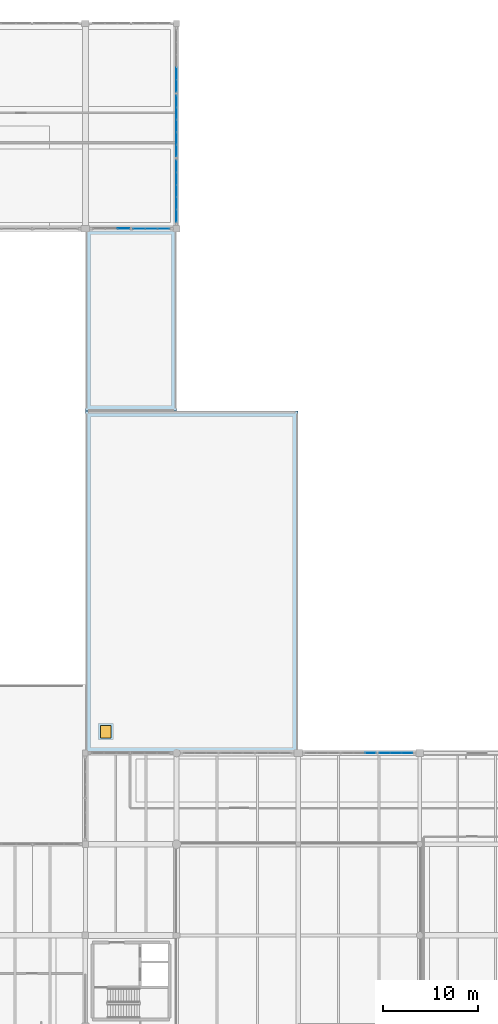
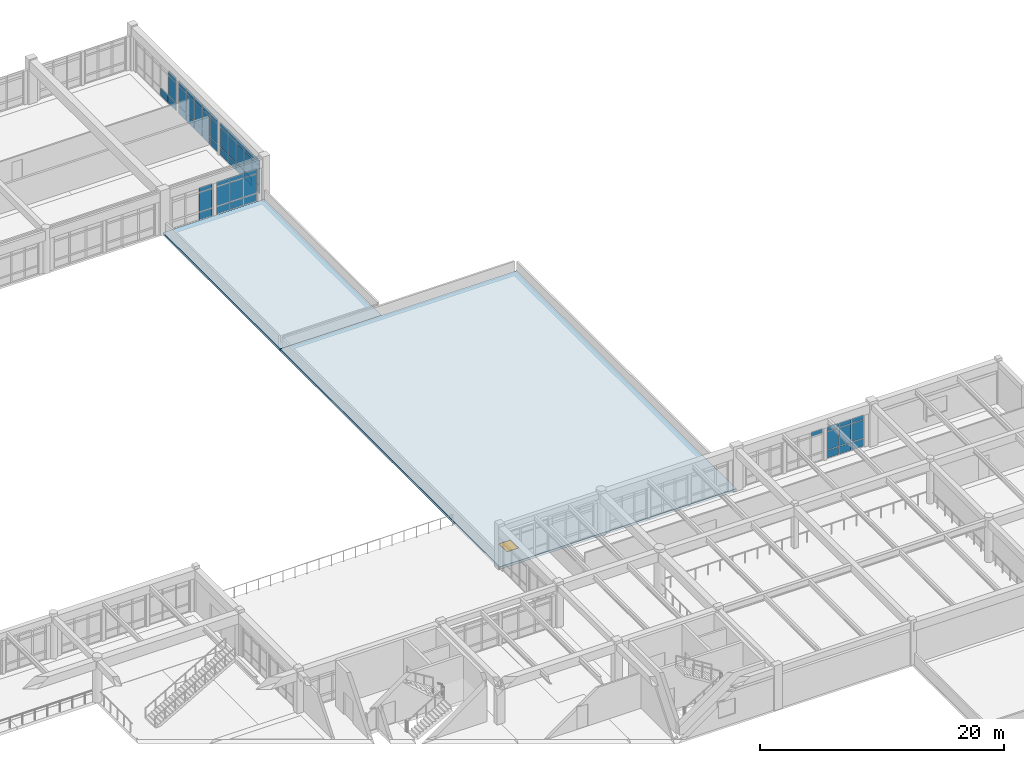
# One storey, part 81 of 109: 56 plates, 2 slabs, 1 window, 1 opening, 7 elements without a shape of their own.
"""IFC4 building model written with IfcOpenShell, lengths in metres."""

from ifc_helpers import new_model, si_unit, direction, frame, origin, origin_2d, place, context, subcontext, project, spatial, polyline, rectangle, outline, extrude, material, layer, layer_set, type_object, element, fill, aggregate, save


model = new_model("IFC4")

# Units and contexts
model_context = context("Model", 3, precision=1e-05, world=origin(), true_north=direction((0.0, 1.0)))
body_context = subcontext(model_context, "Body", "Model", "MODEL_VIEW")
ifc_project = project(units=[si_unit("LENGTHUNIT", "METRE"), si_unit("AREAUNIT", "SQUARE_METRE"), si_unit("VOLUMEUNIT", "CUBIC_METRE"), si_unit("PLANEANGLEUNIT", "RADIAN"), si_unit("MASSUNIT", "GRAM", prefix="KILO")], contexts=[model_context])

# Site, building, storey
site_placement = place(None, origin())
site = spatial("IfcSite", under=ifc_project, at=site_placement, CompositionType="ELEMENT")
building_placement = place(site_placement, origin())
building = spatial("IfcBuilding", under=site, at=building_placement, Name="Fikremerkos Civic Library", CompositionType="ELEMENT")
storey_placement = place(building_placement, frame((0.0, 0.0, 5.39990234375)))
storey = spatial("IfcBuildingStorey", under=building, at=storey_placement, Name="L01", CompositionType="ELEMENT", Elevation=5.39990234375)

# Curtain wall, plates
ifc_material_1 = material(Name="Anodized aluminium Frame", Category="aluminium")
ifc_layer_1 = layer(ifc_material_1, 0.159912109375, Name="Anodized aluminium Frame")
ifc_layer_set_1 = layer_set([ifc_layer_1], Name="Anodized aluminium Frame")
curtain_wall_type_1 = type_object("IfcCurtainWallType", Name="Unitised curtain wall CW-05 3800x4100", PredefinedType="USERDEFINED", material=ifc_layer_set_1)
curtain_wall_1_placement = place(storey_placement, origin())
curtain_wall_1 = element("IfcCurtainWall", 1, at=curtain_wall_1_placement, inside=storey, type_object=curtain_wall_type_1, Name="Unitised curtain wall CW-05 L01 #113", ObjectType="UNITISED CURTAIN WALL", PredefinedType="USERDEFINED")
ifc_material_2 = material(Name="Solar control double glazing", Category="glass")
ifc_layer_2 = layer(ifc_material_2, 0.028076171875, Name="Solar control double glazing")
ifc_layer_set_2 = layer_set([ifc_layer_2], Name="Solar control double glazing")
plate_type_1 = type_object("IfcPlateType", Name="Curtain glazing panel CWP-01 28", PredefinedType="CURTAIN_PANEL", material=ifc_layer_set_2)
plate_1_placement = place(storey_placement, frame((134.39990234375, 109.413330078125, 0.06005859375), z_axis=(0.0, 0.0, 1.0), x_axis=(0.0, -1.0, 0.0)))
plate_1 = element("IfcPlate", 2, at=plate_1_placement, type_object=plate_type_1, Name="CW-05 panel 1.1", PredefinedType="CURTAIN_PANEL", context=body_context, shape_type="SweptSolid", body=[
    extrude(rectangle(XDim=1.211181640625, YDim=0.028076171875, at=origin_2d()), origin(), (0.0, 0.0, 1.0), 0.760009765625),
])
plate_2_placement = place(storey_placement, frame((134.39990234375, 109.413330078125, 0.880126953125), z_axis=(0.0, 0.0, 1.0), x_axis=(0.0, -1.0, 0.0)))
plate_2 = element("IfcPlate", 3, at=plate_2_placement, type_object=plate_type_1, Name="CW-05 panel 1.2", PredefinedType="CURTAIN_PANEL", context=body_context, shape_type="SweptSolid", body=[
    extrude(rectangle(XDim=1.211181640625, YDim=0.028076171875, at=origin_2d()), origin(), (0.0, 0.0, 1.0), 1.9599609375),
])
plate_3_placement = place(storey_placement, frame((134.39990234375, 109.413330078125, 2.900146484375), z_axis=(0.0, 0.0, 1.0), x_axis=(0.0, -1.0, 0.0)))
plate_3 = element("IfcPlate", 4, at=plate_3_placement, type_object=plate_type_1, Name="CW-05 panel 1.3", PredefinedType="CURTAIN_PANEL", context=body_context, shape_type="SweptSolid", body=[
    extrude(rectangle(XDim=1.211181640625, YDim=0.028076171875, at=origin_2d()), origin(), (0.0, 0.0, 1.0), 0.4599609375),
])
plate_4_placement = place(storey_placement, frame((134.39990234375, 108.12109375, 0.06005859375), z_axis=(0.0, 0.0, 1.0), x_axis=(0.0, -1.0, 0.0)))
plate_4 = element("IfcPlate", 5, at=plate_4_placement, type_object=plate_type_1, Name="CW-05 panel 2.1", PredefinedType="CURTAIN_PANEL", context=body_context, shape_type="SweptSolid", body=[
    extrude(rectangle(XDim=1.24365234375, YDim=0.028076171875, at=origin_2d()), origin(), (0.0, 0.0, 1.0), 0.760009765625),
])
plate_5_placement = place(storey_placement, frame((134.39990234375, 108.12109375, 0.880126953125), z_axis=(0.0, 0.0, 1.0), x_axis=(0.0, -1.0, 0.0)))
plate_5 = element("IfcPlate", 6, at=plate_5_placement, type_object=plate_type_1, Name="CW-05 panel 2.2", PredefinedType="CURTAIN_PANEL", context=body_context, shape_type="SweptSolid", body=[
    extrude(rectangle(XDim=1.24365234375, YDim=0.028076171875, at=origin_2d()), origin(), (0.0, 0.0, 1.0), 1.9599609375),
])
plate_6_placement = place(storey_placement, frame((134.39990234375, 108.12109375, 2.900146484375), z_axis=(0.0, 0.0, 1.0), x_axis=(0.0, -1.0, 0.0)))
plate_6 = element("IfcPlate", 7, at=plate_6_placement, type_object=plate_type_1, Name="CW-05 panel 2.3", PredefinedType="CURTAIN_PANEL", context=body_context, shape_type="SweptSolid", body=[
    extrude(rectangle(XDim=1.24365234375, YDim=0.028076171875, at=origin_2d()), origin(), (0.0, 0.0, 1.0), 0.4599609375),
])
plate_7_placement = place(storey_placement, frame((134.39990234375, 106.8125, 0.06005859375), z_axis=(0.0, 0.0, 1.0), x_axis=(0.0, -1.0, 0.0)))
plate_7 = element("IfcPlate", 8, at=plate_7_placement, type_object=plate_type_1, Name="CW-05 panel 3.1", PredefinedType="CURTAIN_PANEL", context=body_context, shape_type="SweptSolid", body=[
    extrude(rectangle(XDim=1.24365234375, YDim=0.028076171875, at=origin_2d()), origin(), (0.0, 0.0, 1.0), 0.760009765625),
])
plate_8_placement = place(storey_placement, frame((134.39990234375, 106.8125, 0.880126953125), z_axis=(0.0, 0.0, 1.0), x_axis=(0.0, -1.0, 0.0)))
plate_8 = element("IfcPlate", 9, at=plate_8_placement, type_object=plate_type_1, Name="CW-05 panel 3.2", PredefinedType="CURTAIN_PANEL", context=body_context, shape_type="SweptSolid", body=[
    extrude(rectangle(XDim=1.24365234375, YDim=0.028076171875, at=origin_2d()), origin(), (0.0, 0.0, 1.0), 1.9599609375),
])
plate_9_placement = place(storey_placement, frame((134.39990234375, 106.8125, 2.900146484375), z_axis=(0.0, 0.0, 1.0), x_axis=(0.0, -1.0, 0.0)))
plate_9 = element("IfcPlate", 10, at=plate_9_placement, type_object=plate_type_1, Name="CW-05 panel 3.3", PredefinedType="CURTAIN_PANEL", context=body_context, shape_type="SweptSolid", body=[
    extrude(rectangle(XDim=1.24365234375, YDim=0.028076171875, at=origin_2d()), origin(), (0.0, 0.0, 1.0), 0.4599609375),
])
plate_10_placement = place(storey_placement, frame((134.39990234375, 105.50390625, 0.06005859375), z_axis=(0.0, 0.0, 1.0), x_axis=(0.0, -1.0, 0.0)))
plate_10 = element("IfcPlate", 11, at=plate_10_placement, type_object=plate_type_1, Name="CW-05 panel 4.1", PredefinedType="CURTAIN_PANEL", context=body_context, shape_type="SweptSolid", body=[
    extrude(rectangle(XDim=1.24365234375, YDim=0.028076171875, at=origin_2d()), origin(), (0.0, 0.0, 1.0), 0.760009765625),
])
plate_11_placement = place(storey_placement, frame((134.39990234375, 105.50390625, 0.880126953125), z_axis=(0.0, 0.0, 1.0), x_axis=(0.0, -1.0, 0.0)))
plate_11 = element("IfcPlate", 12, at=plate_11_placement, type_object=plate_type_1, Name="CW-05 panel 4.2", PredefinedType="CURTAIN_PANEL", context=body_context, shape_type="SweptSolid", body=[
    extrude(rectangle(XDim=1.24365234375, YDim=0.028076171875, at=origin_2d()), origin(), (0.0, 0.0, 1.0), 1.9599609375),
])
plate_12_placement = place(storey_placement, frame((134.39990234375, 105.50390625, 2.900146484375), z_axis=(0.0, 0.0, 1.0), x_axis=(0.0, -1.0, 0.0)))
plate_12 = element("IfcPlate", 13, at=plate_12_placement, type_object=plate_type_1, Name="CW-05 panel 4.3", PredefinedType="CURTAIN_PANEL", context=body_context, shape_type="SweptSolid", body=[
    extrude(rectangle(XDim=1.24365234375, YDim=0.028076171875, at=origin_2d()), origin(), (0.0, 0.0, 1.0), 0.4599609375),
])
plate_13_placement = place(storey_placement, frame((134.39990234375, 104.211669921875, 0.06005859375), z_axis=(0.0, 0.0, 1.0), x_axis=(0.0, -1.0, 0.0)))
plate_13 = element("IfcPlate", 14, at=plate_13_placement, type_object=plate_type_1, Name="CW-05 panel 5.1", PredefinedType="CURTAIN_PANEL", context=body_context, shape_type="SweptSolid", body=[
    extrude(rectangle(XDim=1.211181640625, YDim=0.028076171875, at=origin_2d()), origin(), (0.0, 0.0, 1.0), 0.760009765625),
])
plate_14_placement = place(storey_placement, frame((134.39990234375, 104.211669921875, 0.880126953125), z_axis=(0.0, 0.0, 1.0), x_axis=(0.0, -1.0, 0.0)))
plate_14 = element("IfcPlate", 15, at=plate_14_placement, type_object=plate_type_1, Name="CW-05 panel 5.2", PredefinedType="CURTAIN_PANEL", context=body_context, shape_type="SweptSolid", body=[
    extrude(rectangle(XDim=1.211181640625, YDim=0.028076171875, at=origin_2d()), origin(), (0.0, 0.0, 1.0), 1.9599609375),
])
plate_15_placement = place(storey_placement, frame((134.39990234375, 104.211669921875, 2.900146484375), z_axis=(0.0, 0.0, 1.0), x_axis=(0.0, -1.0, 0.0)))
plate_15 = element("IfcPlate", 16, at=plate_15_placement, type_object=plate_type_1, Name="CW-05 panel 5.3", PredefinedType="CURTAIN_PANEL", context=body_context, shape_type="SweptSolid", body=[
    extrude(rectangle(XDim=1.211181640625, YDim=0.028076171875, at=origin_2d()), origin(), (0.0, 0.0, 1.0), 0.4599609375),
])
aggregate(curtain_wall_1, [plate_1, plate_2, plate_3, plate_4, plate_5, plate_6, plate_7, plate_8, plate_9, plate_10, plate_11, plate_12, plate_13, plate_14, plate_15])

# Curtain wall, plate
ifc_layer_3 = layer(ifc_material_1, 0.159912109375, Name="Anodized aluminium Frame")
ifc_layer_set_3 = layer_set([ifc_layer_3], Name="Anodized aluminium Frame")
curtain_wall_type_2 = type_object("IfcCurtainWallType", Name="Unitised curtain wall CW-02 3900x3600", PredefinedType="USERDEFINED", material=ifc_layer_set_3)
curtain_wall_2_placement = place(storey_placement, origin())
curtain_wall_2 = element("IfcCurtainWall", 17, at=curtain_wall_2_placement, inside=storey, type_object=curtain_wall_type_2, Name="Unitised curtain wall CW-02 L01 #110", ObjectType="UNITISED CURTAIN WALL", PredefinedType="USERDEFINED")
ifc_layer_4 = layer(ifc_material_2, 0.035888671875, Name="Solar control double glazing")
ifc_layer_set_4 = layer_set([ifc_layer_4], Name="Solar control double glazing")
plate_type_2 = type_object("IfcPlateType", Name="Curtain glazing panel CWP-02 36", PredefinedType="CURTAIN_PANEL", material=ifc_layer_set_4)
plate_16_placement = place(storey_placement, frame((154.80908203125, 40.800048828125, 2.7451171875), z_axis=(0.0, 0.0, 1.0), x_axis=(1.0, 0.0, 0.0)))
plate_16 = element("IfcPlate", 18, at=plate_16_placement, type_object=plate_type_2, Name="CW-02 panel 3.3", PredefinedType="CURTAIN_PANEL", context=body_context, shape_type="SweptSolid", body=[
    extrude(rectangle(XDim=1.096435546875, YDim=0.035888671875, at=origin_2d()), origin(), (0.0, 0.0, 1.0), 0.445068359375),
])
aggregate(curtain_wall_2, [plate_16])

# Curtain wall, plates
ifc_layer_5 = layer(ifc_material_1, 0.159912109375, Name="Anodized aluminium Frame")
ifc_layer_set_5 = layer_set([ifc_layer_5], Name="Anodized aluminium Frame")
curtain_wall_type_3 = type_object("IfcCurtainWallType", Name="Unitised curtain wall CW-06 4200x4100", PredefinedType="USERDEFINED", material=ifc_layer_set_5)
curtain_wall_3_placement = place(storey_placement, origin())
curtain_wall_3 = element("IfcCurtainWall", 19, at=curtain_wall_3_placement, inside=storey, type_object=curtain_wall_type_3, Name="Unitised curtain wall CW-06 L01 #114", ObjectType="UNITISED CURTAIN WALL", PredefinedType="USERDEFINED")
plate_17_placement = place(storey_placement, frame((134.39990234375, 102.57177734375, 0.06005859375), z_axis=(0.0, 0.0, 1.0), x_axis=(0.0, -1.0, 0.0)))
plate_17 = element("IfcPlate", 20, at=plate_17_placement, type_object=plate_type_2, Name="CW-06 panel 1.1", PredefinedType="CURTAIN_PANEL", context=body_context, shape_type="SweptSolid", body=[
    extrude(rectangle(XDim=1.218505859375, YDim=0.035888671875, at=origin_2d()), origin(), (0.0, 0.0, 1.0), 0.760009765625),
])
plate_18_placement = place(storey_placement, frame((134.39990234375, 102.57177734375, 0.880126953125), z_axis=(0.0, 0.0, 1.0), x_axis=(0.0, -1.0, 0.0)))
plate_18 = element("IfcPlate", 21, at=plate_18_placement, type_object=plate_type_2, Name="CW-06 panel 1.2", PredefinedType="CURTAIN_PANEL", context=body_context, shape_type="SweptSolid", body=[
    extrude(rectangle(XDim=1.218505859375, YDim=0.035888671875, at=origin_2d()), origin(), (0.0, 0.0, 1.0), 1.9599609375),
])
plate_19_placement = place(storey_placement, frame((134.39990234375, 102.57177734375, 2.900146484375), z_axis=(0.0, 0.0, 1.0), x_axis=(0.0, -1.0, 0.0)))
plate_19 = element("IfcPlate", 22, at=plate_19_placement, type_object=plate_type_2, Name="CW-06 panel 1.3", PredefinedType="CURTAIN_PANEL", context=body_context, shape_type="SweptSolid", body=[
    extrude(rectangle(XDim=1.218505859375, YDim=0.035888671875, at=origin_2d()), origin(), (0.0, 0.0, 1.0), 0.4599609375),
])
plate_20_placement = place(storey_placement, frame((134.39990234375, 101.278076171875, 0.06005859375), z_axis=(0.0, 0.0, 1.0), x_axis=(0.0, -1.0, 0.0)))
plate_20 = element("IfcPlate", 23, at=plate_20_placement, type_object=plate_type_2, Name="CW-06 panel 2.1", PredefinedType="CURTAIN_PANEL", context=body_context, shape_type="SweptSolid", body=[
    extrude(rectangle(XDim=1.24853515625, YDim=0.035888671875, at=origin_2d()), origin(), (0.0, 0.0, 1.0), 0.760009765625),
])
plate_21_placement = place(storey_placement, frame((134.39990234375, 101.278076171875, 0.880126953125), z_axis=(0.0, 0.0, 1.0), x_axis=(0.0, -1.0, 0.0)))
plate_21 = element("IfcPlate", 24, at=plate_21_placement, type_object=plate_type_2, Name="CW-06 panel 2.2", PredefinedType="CURTAIN_PANEL", context=body_context, shape_type="SweptSolid", body=[
    extrude(rectangle(XDim=1.24853515625, YDim=0.035888671875, at=origin_2d()), origin(), (0.0, 0.0, 1.0), 1.9599609375),
])
plate_22_placement = place(storey_placement, frame((134.39990234375, 101.278076171875, 2.900146484375), z_axis=(0.0, 0.0, 1.0), x_axis=(0.0, -1.0, 0.0)))
plate_22 = element("IfcPlate", 25, at=plate_22_placement, type_object=plate_type_2, Name="CW-06 panel 2.3", PredefinedType="CURTAIN_PANEL", context=body_context, shape_type="SweptSolid", body=[
    extrude(rectangle(XDim=1.24853515625, YDim=0.035888671875, at=origin_2d()), origin(), (0.0, 0.0, 1.0), 0.4599609375),
])
plate_23_placement = place(storey_placement, frame((134.39990234375, 99.969482421875, 0.06005859375), z_axis=(0.0, 0.0, 1.0), x_axis=(0.0, -1.0, 0.0)))
plate_23 = element("IfcPlate", 26, at=plate_23_placement, type_object=plate_type_2, Name="CW-06 panel 3.1", PredefinedType="CURTAIN_PANEL", context=body_context, shape_type="SweptSolid", body=[
    extrude(rectangle(XDim=1.24853515625, YDim=0.035888671875, at=origin_2d()), origin(), (0.0, 0.0, 1.0), 0.760009765625),
])
plate_24_placement = place(storey_placement, frame((134.39990234375, 99.969482421875, 0.880126953125), z_axis=(0.0, 0.0, 1.0), x_axis=(0.0, -1.0, 0.0)))
plate_24 = element("IfcPlate", 27, at=plate_24_placement, type_object=plate_type_2, Name="CW-06 panel 3.2", PredefinedType="CURTAIN_PANEL", context=body_context, shape_type="SweptSolid", body=[
    extrude(rectangle(XDim=1.24853515625, YDim=0.035888671875, at=origin_2d()), origin(), (0.0, 0.0, 1.0), 1.9599609375),
])
plate_25_placement = place(storey_placement, frame((134.39990234375, 99.969482421875, 2.900146484375), z_axis=(0.0, 0.0, 1.0), x_axis=(0.0, -1.0, 0.0)))
plate_25 = element("IfcPlate", 28, at=plate_25_placement, type_object=plate_type_2, Name="CW-06 panel 3.3", PredefinedType="CURTAIN_PANEL", context=body_context, shape_type="SweptSolid", body=[
    extrude(rectangle(XDim=1.24853515625, YDim=0.035888671875, at=origin_2d()), origin(), (0.0, 0.0, 1.0), 0.4599609375),
])
plate_26_placement = place(storey_placement, frame((134.39990234375, 98.660888671875, 0.06005859375), z_axis=(0.0, 0.0, 1.0), x_axis=(0.0, -1.0, 0.0)))
plate_26 = element("IfcPlate", 29, at=plate_26_placement, type_object=plate_type_2, Name="CW-06 panel 4.1", PredefinedType="CURTAIN_PANEL", context=body_context, shape_type="SweptSolid", body=[
    extrude(rectangle(XDim=1.24853515625, YDim=0.035888671875, at=origin_2d()), origin(), (0.0, 0.0, 1.0), 0.760009765625),
])
plate_27_placement = place(storey_placement, frame((134.39990234375, 98.660888671875, 0.880126953125), z_axis=(0.0, 0.0, 1.0), x_axis=(0.0, -1.0, 0.0)))
plate_27 = element("IfcPlate", 30, at=plate_27_placement, type_object=plate_type_2, Name="CW-06 panel 4.2", PredefinedType="CURTAIN_PANEL", context=body_context, shape_type="SweptSolid", body=[
    extrude(rectangle(XDim=1.24853515625, YDim=0.035888671875, at=origin_2d()), origin(), (0.0, 0.0, 1.0), 1.9599609375),
])
plate_28_placement = place(storey_placement, frame((134.39990234375, 98.660888671875, 2.900146484375), z_axis=(0.0, 0.0, 1.0), x_axis=(0.0, -1.0, 0.0)))
plate_28 = element("IfcPlate", 31, at=plate_28_placement, type_object=plate_type_2, Name="CW-06 panel 4.3", PredefinedType="CURTAIN_PANEL", context=body_context, shape_type="SweptSolid", body=[
    extrude(rectangle(XDim=1.24853515625, YDim=0.035888671875, at=origin_2d()), origin(), (0.0, 0.0, 1.0), 0.4599609375),
])
plate_29_placement = place(storey_placement, frame((134.39990234375, 97.3671875, 0.06005859375), z_axis=(0.0, 0.0, 1.0), x_axis=(0.0, -1.0, 0.0)))
plate_29 = element("IfcPlate", 32, at=plate_29_placement, type_object=plate_type_2, Name="CW-06 panel 5.1", PredefinedType="CURTAIN_PANEL", context=body_context, shape_type="SweptSolid", body=[
    extrude(rectangle(XDim=1.218505859375, YDim=0.035888671875, at=origin_2d()), origin(), (0.0, 0.0, 1.0), 0.760009765625),
])
plate_30_placement = place(storey_placement, frame((134.39990234375, 97.3671875, 0.880126953125), z_axis=(0.0, 0.0, 1.0), x_axis=(0.0, -1.0, 0.0)))
plate_30 = element("IfcPlate", 33, at=plate_30_placement, type_object=plate_type_2, Name="CW-06 panel 5.2", PredefinedType="CURTAIN_PANEL", context=body_context, shape_type="SweptSolid", body=[
    extrude(rectangle(XDim=1.218505859375, YDim=0.035888671875, at=origin_2d()), origin(), (0.0, 0.0, 1.0), 1.9599609375),
])
plate_31_placement = place(storey_placement, frame((134.39990234375, 97.3671875, 2.900146484375), z_axis=(0.0, 0.0, 1.0), x_axis=(0.0, -1.0, 0.0)))
plate_31 = element("IfcPlate", 34, at=plate_31_placement, type_object=plate_type_2, Name="CW-06 panel 5.3", PredefinedType="CURTAIN_PANEL", context=body_context, shape_type="SweptSolid", body=[
    extrude(rectangle(XDim=1.218505859375, YDim=0.035888671875, at=origin_2d()), origin(), (0.0, 0.0, 1.0), 0.4599609375),
])
aggregate(curtain_wall_3, [plate_17, plate_18, plate_19, plate_20, plate_21, plate_22, plate_23, plate_24, plate_25, plate_26, plate_27, plate_28, plate_29, plate_30, plate_31])

ifc_layer_6 = layer(ifc_material_1, 0.159912109375, Name="Anodized aluminium Frame")
ifc_layer_set_6 = layer_set([ifc_layer_6], Name="Anodized aluminium Frame")
curtain_wall_type_4 = type_object("IfcCurtainWallType", Name="Unitised curtain wall CW-03 4100x3600", PredefinedType="USERDEFINED", material=ifc_layer_set_6)
curtain_wall_4_placement = place(storey_placement, origin())
curtain_wall_4 = element("IfcCurtainWall", 35, at=curtain_wall_4_placement, inside=storey, type_object=curtain_wall_type_4, Name="Unitised curtain wall CW-03 L01 #111", ObjectType="UNITISED CURTAIN WALL", PredefinedType="USERDEFINED")
ifc_material_3 = material(Name="Insulated aluminium spandrel", Category="aluminium")
ifc_layer_7 = layer(ifc_material_3, 0.044921875, Name="Insulated aluminium spandrel")
ifc_layer_set_7 = layer_set([ifc_layer_7], Name="Insulated aluminium spandrel")
plate_type_3 = type_object("IfcPlateType", Name="Curtain spandrel panel CSP-01 45", PredefinedType="CURTAIN_PANEL", material=ifc_layer_set_7)
plate_32_placement = place(storey_placement, frame((156.32568359375, 40.800048828125, 0.065185546875), z_axis=(0.0, 0.0, 1.0), x_axis=(1.0, 0.0, 0.0)))
plate_32 = element("IfcPlate", 36, at=plate_32_placement, type_object=plate_type_3, Name="CW-03 panel 1.1", PredefinedType="CURTAIN_PANEL", context=body_context, shape_type="SweptSolid", body=[
    extrude(rectangle(XDim=1.096435546875, YDim=0.044921875, at=origin_2d()), origin(), (0.0, 0.0, 1.0), 0.75244140625),
])
plate_33_placement = place(storey_placement, frame((156.32568359375, 40.800048828125, 0.882568359375), z_axis=(0.0, 0.0, 1.0), x_axis=(1.0, 0.0, 0.0)))
plate_33 = element("IfcPlate", 37, at=plate_33_placement, type_object=plate_type_3, Name="CW-03 panel 1.2", PredefinedType="CURTAIN_PANEL", context=body_context, shape_type="SweptSolid", body=[
    extrude(rectangle(XDim=1.096435546875, YDim=0.044921875, at=origin_2d()), origin(), (0.0, 0.0, 1.0), 1.794921875),
])
plate_34_placement = place(storey_placement, frame((156.32568359375, 40.800048828125, 2.74267578125), z_axis=(0.0, 0.0, 1.0), x_axis=(1.0, 0.0, 0.0)))
plate_34 = element("IfcPlate", 38, at=plate_34_placement, type_object=plate_type_3, Name="CW-03 panel 1.3", PredefinedType="CURTAIN_PANEL", context=body_context, shape_type="SweptSolid", body=[
    extrude(rectangle(XDim=1.096435546875, YDim=0.044921875, at=origin_2d()), origin(), (0.0, 0.0, 1.0), 0.452392578125),
])
plate_35_placement = place(storey_placement, frame((157.4970703125, 40.800048828125, 0.065185546875), z_axis=(0.0, 0.0, 1.0), x_axis=(1.0, 0.0, 0.0)))
plate_35 = element("IfcPlate", 39, at=plate_35_placement, type_object=plate_type_3, Name="CW-03 panel 2.1", PredefinedType="CURTAIN_PANEL", context=body_context, shape_type="SweptSolid", body=[
    extrude(rectangle(XDim=1.12646484375, YDim=0.044921875, at=origin_2d()), origin(), (0.0, 0.0, 1.0), 0.75244140625),
])
plate_36_placement = place(storey_placement, frame((157.4970703125, 40.800048828125, 0.882568359375), z_axis=(0.0, 0.0, 1.0), x_axis=(1.0, 0.0, 0.0)))
plate_36 = element("IfcPlate", 40, at=plate_36_placement, type_object=plate_type_3, Name="CW-03 panel 2.2", PredefinedType="CURTAIN_PANEL", context=body_context, shape_type="SweptSolid", body=[
    extrude(rectangle(XDim=1.12646484375, YDim=0.044921875, at=origin_2d()), origin(), (0.0, 0.0, 1.0), 1.794921875),
])
plate_37_placement = place(storey_placement, frame((157.4970703125, 40.800048828125, 2.74267578125), z_axis=(0.0, 0.0, 1.0), x_axis=(1.0, 0.0, 0.0)))
plate_37 = element("IfcPlate", 41, at=plate_37_placement, type_object=plate_type_3, Name="CW-03 panel 2.3", PredefinedType="CURTAIN_PANEL", context=body_context, shape_type="SweptSolid", body=[
    extrude(rectangle(XDim=1.12646484375, YDim=0.044921875, at=origin_2d()), origin(), (0.0, 0.0, 1.0), 0.452392578125),
])
plate_38_placement = place(storey_placement, frame((158.668701171875, 40.800048828125, 0.065185546875), z_axis=(0.0, 0.0, 1.0), x_axis=(1.0, 0.0, 0.0)))
plate_38 = element("IfcPlate", 42, at=plate_38_placement, type_object=plate_type_3, Name="CW-03 panel 3.1", PredefinedType="CURTAIN_PANEL", context=body_context, shape_type="SweptSolid", body=[
    extrude(rectangle(XDim=1.096435546875, YDim=0.044921875, at=origin_2d()), origin(), (0.0, 0.0, 1.0), 0.75244140625),
])
plate_39_placement = place(storey_placement, frame((158.668701171875, 40.800048828125, 0.882568359375), z_axis=(0.0, 0.0, 1.0), x_axis=(1.0, 0.0, 0.0)))
plate_39 = element("IfcPlate", 43, at=plate_39_placement, type_object=plate_type_3, Name="CW-03 panel 3.2", PredefinedType="CURTAIN_PANEL", context=body_context, shape_type="SweptSolid", body=[
    extrude(rectangle(XDim=1.096435546875, YDim=0.044921875, at=origin_2d()), origin(), (0.0, 0.0, 1.0), 1.794921875),
])
plate_40_placement = place(storey_placement, frame((158.668701171875, 40.800048828125, 2.74267578125), z_axis=(0.0, 0.0, 1.0), x_axis=(1.0, 0.0, 0.0)))
plate_40 = element("IfcPlate", 44, at=plate_40_placement, type_object=plate_type_3, Name="CW-03 panel 3.3", PredefinedType="CURTAIN_PANEL", context=body_context, shape_type="SweptSolid", body=[
    extrude(rectangle(XDim=1.096435546875, YDim=0.044921875, at=origin_2d()), origin(), (0.0, 0.0, 1.0), 0.452392578125),
])
aggregate(curtain_wall_4, [plate_32, plate_33, plate_34, plate_35, plate_36, plate_37, plate_38, plate_39, plate_40])

ifc_layer_8 = layer(ifc_material_1, 0.159912109375, Name="Anodized aluminium Frame")
ifc_layer_set_8 = layer_set([ifc_layer_8], Name="Anodized aluminium Frame")
curtain_wall_type_5 = type_object("IfcCurtainWallType", Name="Unitised curtain wall CW-07 3500x4100", PredefinedType="USERDEFINED", material=ifc_layer_set_8)
curtain_wall_5_placement = place(storey_placement, origin())
curtain_wall_5 = element("IfcCurtainWall", 45, at=curtain_wall_5_placement, inside=storey, type_object=curtain_wall_type_5, Name="Unitised curtain wall CW-07 L01 #115", ObjectType="UNITISED CURTAIN WALL", PredefinedType="USERDEFINED")
plate_41_placement = place(storey_placement, frame((133.03662109375, 96.0, 0.070068359375), z_axis=(0.0, 0.0, 1.0), x_axis=(-1.0, 0.0, 0.0)))
plate_41 = element("IfcPlate", 46, at=plate_41_placement, type_object=plate_type_3, Name="CW-07 panel 1.1", PredefinedType="CURTAIN_PANEL", context=body_context, shape_type="SweptSolid", body=[
    extrude(rectangle(XDim=1.210693359375, YDim=0.044921875, at=origin_2d()), origin(), (0.0, 0.0, 1.0), 0.7451171875),
])
plate_42_placement = place(storey_placement, frame((133.03662109375, 96.0, 0.88525390625), z_axis=(0.0, 0.0, 1.0), x_axis=(-1.0, 0.0, 0.0)))
plate_42 = element("IfcPlate", 47, at=plate_42_placement, type_object=plate_type_3, Name="CW-07 panel 1.2", PredefinedType="CURTAIN_PANEL", context=body_context, shape_type="SweptSolid", body=[
    extrude(rectangle(XDim=1.210693359375, YDim=0.044921875, at=origin_2d()), origin(), (0.0, 0.0, 1.0), 1.897216796875),
])
plate_43_placement = place(storey_placement, frame((133.03662109375, 96.0, 2.85205078125), z_axis=(0.0, 0.0, 1.0), x_axis=(-1.0, 0.0, 0.0)))
plate_43 = element("IfcPlate", 48, at=plate_43_placement, type_object=plate_type_3, Name="CW-07 panel 1.3", PredefinedType="CURTAIN_PANEL", context=body_context, shape_type="SweptSolid", body=[
    extrude(rectangle(XDim=1.210693359375, YDim=0.044921875, at=origin_2d()), origin(), (0.0, 0.0, 1.0), 0.445068359375),
])
plate_44_placement = place(storey_placement, frame((131.7509765625, 96.0, 0.070068359375), z_axis=(0.0, 0.0, 1.0), x_axis=(-1.0, 0.0, 0.0)))
plate_44 = element("IfcPlate", 49, at=plate_44_placement, type_object=plate_type_3, Name="CW-07 panel 2.1", PredefinedType="CURTAIN_PANEL", context=body_context, shape_type="SweptSolid", body=[
    extrude(rectangle(XDim=1.24072265625, YDim=0.044921875, at=origin_2d()), origin(), (0.0, 0.0, 1.0), 0.7451171875),
])
plate_45_placement = place(storey_placement, frame((131.7509765625, 96.0, 0.88525390625), z_axis=(0.0, 0.0, 1.0), x_axis=(-1.0, 0.0, 0.0)))
plate_45 = element("IfcPlate", 50, at=plate_45_placement, type_object=plate_type_3, Name="CW-07 panel 2.2", PredefinedType="CURTAIN_PANEL", context=body_context, shape_type="SweptSolid", body=[
    extrude(rectangle(XDim=1.24072265625, YDim=0.044921875, at=origin_2d()), origin(), (0.0, 0.0, 1.0), 1.897216796875),
])
plate_46_placement = place(storey_placement, frame((131.7509765625, 96.0, 2.85205078125), z_axis=(0.0, 0.0, 1.0), x_axis=(-1.0, 0.0, 0.0)))
plate_46 = element("IfcPlate", 51, at=plate_46_placement, type_object=plate_type_3, Name="CW-07 panel 2.3", PredefinedType="CURTAIN_PANEL", context=body_context, shape_type="SweptSolid", body=[
    extrude(rectangle(XDim=1.24072265625, YDim=0.044921875, at=origin_2d()), origin(), (0.0, 0.0, 1.0), 0.445068359375),
])
plate_47_placement = place(storey_placement, frame((130.46533203125, 96.0, 0.070068359375), z_axis=(0.0, 0.0, 1.0), x_axis=(-1.0, 0.0, 0.0)))
plate_47 = element("IfcPlate", 52, at=plate_47_placement, type_object=plate_type_3, Name="CW-07 panel 3.1", PredefinedType="CURTAIN_PANEL", context=body_context, shape_type="SweptSolid", body=[
    extrude(rectangle(XDim=1.210693359375, YDim=0.044921875, at=origin_2d()), origin(), (0.0, 0.0, 1.0), 0.7451171875),
])
plate_48_placement = place(storey_placement, frame((130.46533203125, 96.0, 0.88525390625), z_axis=(0.0, 0.0, 1.0), x_axis=(-1.0, 0.0, 0.0)))
plate_48 = element("IfcPlate", 53, at=plate_48_placement, type_object=plate_type_3, Name="CW-07 panel 3.2", PredefinedType="CURTAIN_PANEL", context=body_context, shape_type="SweptSolid", body=[
    extrude(rectangle(XDim=1.210693359375, YDim=0.044921875, at=origin_2d()), origin(), (0.0, 0.0, 1.0), 1.897216796875),
])
plate_49_placement = place(storey_placement, frame((130.46533203125, 96.0, 2.85205078125), z_axis=(0.0, 0.0, 1.0), x_axis=(-1.0, 0.0, 0.0)))
plate_49 = element("IfcPlate", 54, at=plate_49_placement, type_object=plate_type_3, Name="CW-07 panel 3.3", PredefinedType="CURTAIN_PANEL", context=body_context, shape_type="SweptSolid", body=[
    extrude(rectangle(XDim=1.210693359375, YDim=0.044921875, at=origin_2d()), origin(), (0.0, 0.0, 1.0), 0.445068359375),
])
aggregate(curtain_wall_5, [plate_41, plate_42, plate_43, plate_44, plate_45, plate_46, plate_47, plate_48, plate_49])

ifc_layer_9 = layer(ifc_material_1, 0.159912109375, Name="Anodized aluminium Frame")
ifc_layer_set_9 = layer_set([ifc_layer_9], Name="Anodized aluminium Frame")
curtain_wall_type_6 = type_object("IfcCurtainWallType", Name="Unitised curtain wall CW-04 3400x3600", PredefinedType="USERDEFINED", material=ifc_layer_set_9)
curtain_wall_6_placement = place(storey_placement, origin())
curtain_wall_6 = element("IfcCurtainWall", 55, at=curtain_wall_6_placement, inside=storey, type_object=curtain_wall_type_6, Name="Unitised curtain wall CW-04 L01 #112", ObjectType="UNITISED CURTAIN WALL", PredefinedType="USERDEFINED")
ifc_layer_10 = layer(ifc_material_3, 0.054931640625, Name="Insulated aluminium spandrel")
ifc_layer_set_10 = layer_set([ifc_layer_10], Name="Insulated aluminium spandrel")
plate_type_4 = type_object("IfcPlateType", Name="Curtain spandrel panel CSP-02 55", PredefinedType="CURTAIN_PANEL", material=ifc_layer_set_10)
plate_50_placement = place(storey_placement, frame((134.39990234375, 112.346923828125, 0.065185546875), z_axis=(0.0, 0.0, 1.0), x_axis=(0.0, -1.0, 0.0)))
plate_50 = element("IfcPlate", 56, at=plate_50_placement, type_object=plate_type_4, Name="CW-04 panel 4.1", PredefinedType="CURTAIN_PANEL", context=body_context, shape_type="SweptSolid", body=[
    extrude(rectangle(XDim=1.24853515625, YDim=0.054931640625, at=origin_2d()), origin(), (0.0, 0.0, 1.0), 0.75244140625),
])
plate_51_placement = place(storey_placement, frame((134.39990234375, 111.05322265625, 0.065185546875), z_axis=(0.0, 0.0, 1.0), x_axis=(0.0, -1.0, 0.0)))
plate_51 = element("IfcPlate", 57, at=plate_51_placement, type_object=plate_type_4, Name="CW-04 panel 5.1", PredefinedType="CURTAIN_PANEL", context=body_context, shape_type="SweptSolid", body=[
    extrude(rectangle(XDim=1.218505859375, YDim=0.054931640625, at=origin_2d()), origin(), (0.0, 0.0, 1.0), 0.75244140625),
])
plate_52_placement = place(storey_placement, frame((134.39990234375, 111.05322265625, 0.882568359375), z_axis=(0.0, 0.0, 1.0), x_axis=(0.0, -1.0, 0.0)))
plate_52 = element("IfcPlate", 58, at=plate_52_placement, type_object=plate_type_4, Name="CW-04 panel 5.2", PredefinedType="CURTAIN_PANEL", context=body_context, shape_type="SweptSolid", body=[
    extrude(rectangle(XDim=1.218505859375, YDim=0.054931640625, at=origin_2d()), origin(), (0.0, 0.0, 1.0), 1.955078125),
])
plate_53_placement = place(storey_placement, frame((134.39990234375, 111.05322265625, 2.90283203125), z_axis=(0.0, 0.0, 1.0), x_axis=(0.0, -1.0, 0.0)))
plate_53 = element("IfcPlate", 59, at=plate_53_placement, type_object=plate_type_4, Name="CW-04 panel 5.3", PredefinedType="CURTAIN_PANEL", context=body_context, shape_type="SweptSolid", body=[
    extrude(rectangle(XDim=1.218505859375, YDim=0.054931640625, at=origin_2d()), origin(), (0.0, 0.0, 1.0), 0.452392578125),
])
aggregate(curtain_wall_6, [plate_50, plate_51, plate_52, plate_53])

ifc_layer_11 = layer(ifc_material_1, 0.159912109375, Name="Anodized aluminium Frame")
ifc_layer_set_11 = layer_set([ifc_layer_11], Name="Anodized aluminium Frame")
curtain_wall_type_7 = type_object("IfcCurtainWallType", Name="Unitised curtain wall CW-08 4500x4100", PredefinedType="USERDEFINED", material=ifc_layer_set_11)
curtain_wall_7_placement = place(storey_placement, origin())
curtain_wall_7 = element("IfcCurtainWall", 60, at=curtain_wall_7_placement, inside=storey, type_object=curtain_wall_type_7, Name="Unitised curtain wall CW-08 L01 #116", ObjectType="UNITISED CURTAIN WALL", PredefinedType="USERDEFINED")
plate_54_placement = place(storey_placement, frame((128.834716796875, 96.0, 0.070068359375), z_axis=(0.0, 0.0, 1.0), x_axis=(-1.0, 0.0, 0.0)))
plate_54 = element("IfcPlate", 61, at=plate_54_placement, type_object=plate_type_4, Name="CW-08 panel 1.1", PredefinedType="CURTAIN_PANEL", context=body_context, shape_type="SweptSolid", body=[
    extrude(rectangle(XDim=1.210693359375, YDim=0.054931640625, at=origin_2d()), origin(), (0.0, 0.0, 1.0), 0.7451171875),
])
plate_55_placement = place(storey_placement, frame((128.834716796875, 96.0, 0.88525390625), z_axis=(0.0, 0.0, 1.0), x_axis=(-1.0, 0.0, 0.0)))
plate_55 = element("IfcPlate", 62, at=plate_55_placement, type_object=plate_type_4, Name="CW-08 panel 1.2", PredefinedType="CURTAIN_PANEL", context=body_context, shape_type="SweptSolid", body=[
    extrude(rectangle(XDim=1.210693359375, YDim=0.054931640625, at=origin_2d()), origin(), (0.0, 0.0, 1.0), 1.897216796875),
])
plate_56_placement = place(storey_placement, frame((128.834716796875, 96.0, 2.85205078125), z_axis=(0.0, 0.0, 1.0), x_axis=(-1.0, 0.0, 0.0)))
plate_56 = element("IfcPlate", 63, at=plate_56_placement, type_object=plate_type_4, Name="CW-08 panel 1.3", PredefinedType="CURTAIN_PANEL", context=body_context, shape_type="SweptSolid", body=[
    extrude(rectangle(XDim=1.210693359375, YDim=0.054931640625, at=origin_2d()), origin(), (0.0, 0.0, 1.0), 0.445068359375),
])
aggregate(curtain_wall_7, [plate_54, plate_55, plate_56])

# Slab, opening, window
ifc_material_4 = material(Name="Concrete C40/50", Category="concrete")
ifc_layer_12 = layer(ifc_material_4, 0.239990234375, Name="Concrete C40/50")
ifc_layer_set_12 = layer_set([ifc_layer_12], Name="Concrete C40/50")
slab_type_1 = type_object("IfcSlabType", Name="Wing roof slab WRS-03 240", PredefinedType="ROOF", material=ifc_layer_set_12)
slab_1_placement = place(storey_placement, frame((0.0, 0.0, -0.239990234375)))
slab_1 = element("IfcSlab", 64, at=slab_1_placement, inside=storey, type_object=slab_type_1, Name="Wing roof slab WRS-03 RF-L01-V3N", PredefinedType="ROOF", context=body_context, shape_type="SweptSolid", body=[
    extrude(outline(polyline([(124.800048828125, 40.800048828125), (147.199951171875, 40.800048828125), (147.199951171875, 76.800048828125), (124.800048828125, 76.800048828125), (124.800048828125, 40.800048828125)])), origin(), (0.0, 0.0, 1.0), 0.239990234375),
])
opening_placement = place(slab_1_placement, frame((126.949951171875, 43.050048828125, 0.0)))
opening = element("IfcOpeningElement", 65, at=opening_placement, cuts=slab_1, Name="Opening SKY-05", PredefinedType="OPENING", context=body_context, shape_type="SweptSolid", body=[
    extrude(rectangle(XDim=1.10009765625, YDim=1.300048828125, at=origin_2d()), frame((0.0, 0.0, -0.010009765625), z_axis=(0.0, 0.0, 1.0), x_axis=(1.0, 0.0, 0.0)), (0.0, 0.0, 1.0), 0.260009765625),
])
ifc_material_5 = material(Name="Laminated solar control skylight glazing", Category="glass")
window_type = type_object("IfcWindowType", Name="Roof skylight SKY-05 1100x1300", PartitioningType="SINGLE_PANEL", PredefinedType="SKYLIGHT", material=ifc_material_5)
window_placement = place(opening_placement, frame((0.0, 0.0, 0.175048828125)))
window = element("IfcWindow", 66, at=window_placement, inside=storey, type_object=window_type, Name="Maintenance roof access skylight hatch SKY-05 RF-L01-V3N", OverallHeight=1.300048828125, OverallWidth=1.10009765625, PartitioningType="SINGLE_PANEL", PredefinedType="SKYLIGHT", context=body_context, shape_type="SweptSolid", body=[
    extrude(rectangle(XDim=1.10009765625, YDim=1.300048828125, at=origin_2d()), origin(), (0.0, 0.0, 1.0), 0.06494140625),
])
fill(opening, window)

# Slab
ifc_layer_13 = layer(ifc_material_4, 0.219970703125, Name="Concrete C40/50")
ifc_layer_set_13 = layer_set([ifc_layer_13], Name="Concrete C40/50")
slab_type_2 = type_object("IfcSlabType", Name="Wing roof slab WRS-04 220", PredefinedType="ROOF", material=ifc_layer_set_13)
slab_2_placement = place(storey_placement, frame((0.0, 0.0, -0.219970703125)))
element("IfcSlab", 67, at=slab_2_placement, inside=storey, type_object=slab_type_2, Name="Wing roof slab WRS-04 RF-L01-V2L", PredefinedType="ROOF", context=body_context, shape_type="SweptSolid", body=[
    extrude(outline(polyline([(124.800048828125, 76.800048828125), (134.39990234375, 76.800048828125), (134.39990234375, 96.0), (124.800048828125, 96.0), (124.800048828125, 76.800048828125)])), origin(), (0.0, 0.0, 1.0), 0.219970703125),
])

save(model, "model.ifc")
